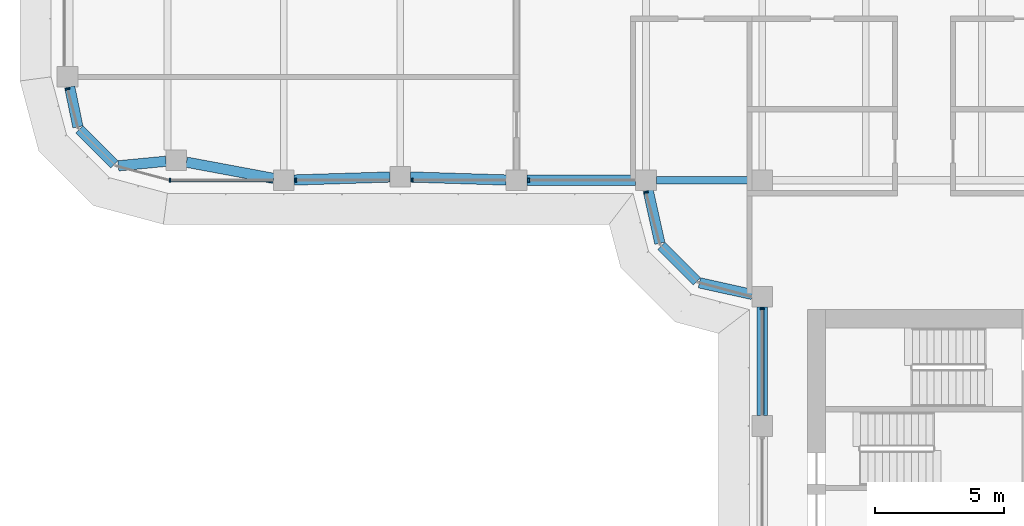
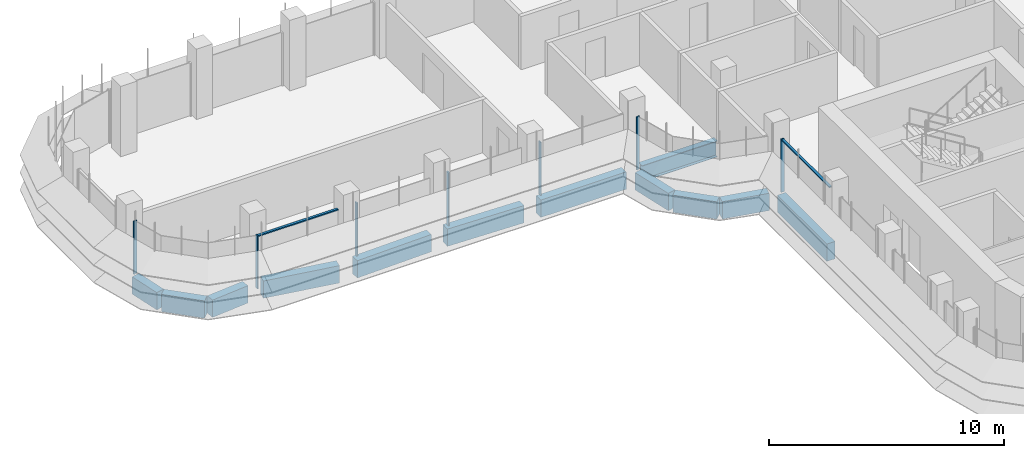
# One storey, part 3 of 19: 12 beams, 9 members, 4 elements without a shape of their own.
"""IFC4 building model written with IfcOpenShell, lengths in metres."""

from ifc_helpers import new_model, si_unit, direction, frame, origin, origin_2d, place, context, subcontext, project, spatial, polyline, rectangle, i_section, outline, extrude, source, transform, mapped, material, material_profile, profile_set, type_object, element, aggregate, save


model = new_model("IFC4")

# Units and contexts
model_context = context("Model", 3, precision=1e-05, world=origin(), true_north=direction((0.0, 1.0)))
body_context = subcontext(model_context, "Body", "Model", "MODEL_VIEW")
ifc_project = project(units=[si_unit("LENGTHUNIT", "METRE"), si_unit("AREAUNIT", "SQUARE_METRE"), si_unit("VOLUMEUNIT", "CUBIC_METRE"), si_unit("PLANEANGLEUNIT", "RADIAN"), si_unit("MASSUNIT", "GRAM", prefix="KILO")], contexts=[model_context])

# Site, building, storey
site_placement = place(None, origin())
site = spatial("IfcSite", under=ifc_project, at=site_placement, CompositionType="ELEMENT")
building_placement = place(site_placement, origin())
building = spatial("IfcBuilding", under=site, at=building_placement, Name="Zarbagh Exchange Tower", CompositionType="ELEMENT")
storey_placement = place(building_placement, frame((0.0, 0.0, 182.800048828125)))
storey = spatial("IfcBuildingStorey", under=building, at=storey_placement, Name="L44", CompositionType="ELEMENT", Elevation=182.800048828125)

# Beams
ifc_material_1 = material(Name="Steel ASTM A992 Gr 50", Category="steel")
ifc_material_profile_1 = material_profile(ifc_material_1, i_section(OverallWidth=0.2919921875, OverallDepth=0.835693359375, WebThickness=0.013916015625, FlangeThickness=0.018798828125, at=origin_2d()), Name="W33X118")
ifc_profile_set_1 = profile_set([ifc_material_profile_1], Name="Steel ASTM A992 Gr 50")
beam_type_1 = type_object("IfcBeamType", Name="Floor girder W33X118", PredefinedType="BEAM", material=ifc_profile_set_1)
beam_1_placement = place(storey_placement, frame((-10.35009765625, -6.25, -0.56787109375), z_axis=(1.0, 0.0, 0.0), x_axis=(0.0, 1.0, 0.0)))
element("IfcBeam", 1, at=beam_1_placement, inside=storey, type_object=beam_type_1, Name="Steel girder", PredefinedType="BEAM", context=body_context, shape_type="SweptSolid", body=[
    extrude(i_section(OverallWidth=0.2919921875, OverallDepth=0.835693359375, WebThickness=0.013916015625, FlangeThickness=0.018798828125, at=origin_2d()), origin(), (0.0, 0.0, 1.0), 3.7001953125),
])
ifc_material_2 = material(Name="Concrete C50/60", Category="concrete")
ifc_material_profile_2 = material_profile(ifc_material_2, rectangle(XDim=0.39990234375, YDim=0.89990234375, at=origin_2d()), Name="RC spandrel beam 400 x 900 C50/60")
ifc_profile_set_2 = profile_set([ifc_material_profile_2], Name="Concrete C50/60")
beam_type_2 = type_object("IfcBeamType", Name="RC spandrel beam 400 x 900 C50/60", PredefinedType="SPANDREL", material=ifc_profile_set_2)
beam_2_placement = place(storey_placement, frame((-6.25, -15.35009765625, -0.60009765625), z_axis=(0.0, 1.0, 0.0), x_axis=(-1.0, 0.0, 0.0)))
element("IfcBeam", 2, at=beam_2_placement, inside=storey, type_object=beam_type_2, Name="RC spandrel beam", PredefinedType="SPANDREL", context=body_context, shape_type="SweptSolid", body=[
    extrude(rectangle(XDim=0.39990234375, YDim=0.89990234375, at=origin_2d()), origin(), (0.0, 0.0, 1.0), 4.2001953125),
])
beam_3_placement = place(storey_placement, frame((-6.640625, -10.66357421875, -0.60009765625), z_axis=(-0.976384278741, 0.216041061437, 0.0), x_axis=(-0.216041061437, -0.976384278741, 0.0)))
element("IfcBeam", 3, at=beam_3_placement, inside=storey, type_object=beam_type_2, Name="RC spandrel beam", PredefinedType="SPANDREL", context=body_context, shape_type="SweptSolid", body=[
    extrude(rectangle(XDim=0.39990234375, YDim=0.89990234375, at=origin_2d()), origin(), (0.0, 0.0, 1.0), 2.0927734375),
])
beam_4_placement = place(storey_placement, frame((-8.782470703125, -10.15771484375, -0.60009765625), z_axis=(-0.707106781187, 0.707106781187, 0.0), x_axis=(-0.707106781187, -0.707106781187, 0.0)))
element("IfcBeam", 4, at=beam_4_placement, inside=storey, type_object=beam_type_2, Name="RC spandrel beam", PredefinedType="SPANDREL", context=body_context, shape_type="SweptSolid", body=[
    extrude(rectangle(XDim=0.39990234375, YDim=0.89990234375, at=origin_2d()), origin(), (0.0, 0.0, 1.0), 1.94482421875),
])
beam_5_placement = place(storey_placement, frame((-10.21142578125, -8.68408203125, -0.60009765625), z_axis=(-0.216041061437, 0.976384278741, 0.0), x_axis=(-0.976384278741, -0.216041061437, 0.0)))
element("IfcBeam", 5, at=beam_5_placement, inside=storey, type_object=beam_type_2, Name="RC spandrel beam", PredefinedType="SPANDREL", context=body_context, shape_type="SweptSolid", body=[
    extrude(rectangle(XDim=0.39990234375, YDim=0.89990234375, at=origin_2d()), origin(), (0.0, 0.0, 1.0), 2.0927734375),
])
beam_6_placement = place(storey_placement, frame((-11.14990234375, -6.25, -0.60009765625), z_axis=(-1.0, 0.0, 0.0), x_axis=(0.0, -1.0, 0.0)))
element("IfcBeam", 6, at=beam_6_placement, inside=storey, type_object=beam_type_2, Name="RC spandrel beam", PredefinedType="SPANDREL", context=body_context, shape_type="SweptSolid", body=[
    extrude(rectangle(XDim=0.39990234375, YDim=0.89990234375, at=origin_2d()), origin(), (0.0, 0.0, 1.0), 4.2001953125),
])
for number, where, z_axis, x_axis, name in (
    (7, (-16.14990234375, -6.237548828125, -0.60009765625), (-0.999515416033, 0.031127690444, 0.0), (-0.031127690444, -0.999515416033, 0.0), "RC spandrel beam"),
    (8, (-20.64990234375, -6.122314453125, -0.60009765625), (-0.999515416033, -0.031127690444, 0.0), (0.031127690444, -0.999515416033, 0.0), "RC spandrel beam"),
):
    element("IfcBeam", number, at=place(storey_placement, frame(where, z_axis=z_axis, x_axis=x_axis)), inside=storey, type_object=beam_type_2, Name=name, PredefinedType="SPANDREL", context=body_context, shape_type="SweptSolid", body=[
        extrude(rectangle(XDim=0.39990234375, YDim=0.89990234375, at=origin_2d()), origin(), (0.0, 0.0, 1.0), 3.701904296875),
    ])
beam_7_placement = place(storey_placement, frame((-25.143310546875, -6.1767578125, -0.60009765625), z_axis=(-0.983069862768, 0.183231124313, 0.0), x_axis=(-0.183231124313, -0.983069862768, 0.0)))
element("IfcBeam", 9, at=beam_7_placement, inside=storey, type_object=beam_type_2, Name="RC spandrel beam", PredefinedType="SPANDREL", context=body_context, shape_type="SweptSolid", body=[
    extrude(rectangle(XDim=0.39990234375, YDim=0.89990234375, at=origin_2d()), origin(), (0.0, 0.0, 1.0), 3.4296875),
])
beam_8_placement = place(storey_placement, frame((-29.30615234375, -5.51318359375, -0.60009765625), z_axis=(-0.995435353267, -0.095438239015, 0.0), x_axis=(0.095438239015, -0.995435353267, 0.0)))
element("IfcBeam", 10, at=beam_8_placement, inside=storey, type_object=beam_type_2, Name="RC spandrel beam", PredefinedType="SPANDREL", context=body_context, shape_type="SweptSolid", body=[
    extrude(rectangle(XDim=0.39990234375, YDim=0.89990234375, at=origin_2d()), origin(), (0.0, 0.0, 1.0), 1.849609375),
])
beam_9_placement = place(storey_placement, frame((-31.307861328125, -5.632080078125, -0.60009765625), z_axis=(-0.707106781187, 0.707106781187, 0.0), x_axis=(-0.707106781187, -0.707106781187, 0.0)))
element("IfcBeam", 11, at=beam_9_placement, inside=storey, type_object=beam_type_2, Name="RC spandrel beam", PredefinedType="SPANDREL", context=body_context, shape_type="SweptSolid", body=[
    extrude(rectangle(XDim=0.39990234375, YDim=0.89990234375, at=origin_2d()), origin(), (0.0, 0.0, 1.0), 1.9072265625),
])
beam_10_placement = place(storey_placement, frame((-32.7109375, -4.1826171875, -0.60009765625), z_axis=(-0.20216948151, 0.979350550491, 0.0), x_axis=(-0.979350550491, -0.20216948151, 0.0)))
element("IfcBeam", 12, at=beam_10_placement, inside=storey, type_object=beam_type_2, Name="RC spandrel beam", PredefinedType="SPANDREL", context=body_context, shape_type="SweptSolid", body=[
    extrude(rectangle(XDim=0.39990234375, YDim=0.89990234375, at=origin_2d()), origin(), (0.0, 0.0, 1.0), 1.573486328125),
])

# Curtain wall, member
ifc_material_3 = material(Name="Anodised aluminium frame and glazing", Category="aluminium")
curtain_wall_type = type_object("IfcCurtainWallType", Name="CWB Ribbon glazing, upper zones", PredefinedType="NOTDEFINED", material=ifc_material_3)
curtain_wall_1_placement = place(storey_placement, origin())
curtain_wall_1 = element("IfcCurtainWall", 13, at=curtain_wall_1_placement, inside=storey, type_object=curtain_wall_type, Name="CWB37 curtain wall", PredefinedType="NOTDEFINED")
ifc_material_4 = material(Name="Anodised aluminium frame", Category="aluminium")
member_type_1 = type_object("IfcMemberType", Name="MUB Mullion, anodised aluminium frame", PredefinedType="MULLION", material=ifc_material_4)
shared_shape_1 = source(origin(), body_context, "Body", "SweptSolid", [
    extrude(outline(polyline([(0.0, -0.080078125), (0.06005859375, -0.080078125), (0.06005859375, 0.080078125), (0.0, 0.080078125), (0.0, -0.080078125)])), origin(), (0.0, 0.0, 1.0), 2.75),
])
placement = place(storey_placement, origin())
member_1 = element("IfcMember", 14, at=placement, type_object=member_type_1, Name="CWB37 mullion 1.1", PredefinedType="MULLION", context=body_context, shape_type="MappedRepresentation", body=[
    mapped(shared_shape_1, transform((-33.114501953125, -2.68994140625, 0.0), x_axis=(0.258824779902, -0.965924289636, 0.0), y_axis=(0.965924289636, 0.258824779902, 0.0), z_axis=(0.0, 0.0, 1.0))),
])
aggregate(curtain_wall_1, [member_1])

# Curtain wall, members
curtain_wall_2_placement = place(storey_placement, origin())
curtain_wall_2 = element("IfcCurtainWall", 15, at=curtain_wall_2_placement, inside=storey, type_object=curtain_wall_type, Name="CWB40 curtain wall", PredefinedType="NOTDEFINED")
member_2 = element("IfcMember", 16, at=placement, type_object=member_type_1, Name="CWB40 mullion 1.1", PredefinedType="MULLION", context=body_context, shape_type="MappedRepresentation", body=[
    mapped(shared_shape_1, transform((-29.18408203125, -6.25, 0.0), x_axis=(1.0, 0.0, 0.0), y_axis=(0.0, 1.0, 0.0), z_axis=(0.0, 0.0, 1.0))),
])
member_3 = element("IfcMember", 17, at=placement, type_object=member_type_1, Name="CWB40 mullion 2.1", PredefinedType="MULLION", context=body_context, shape_type="MappedRepresentation", body=[
    mapped(shared_shape_1, transform((-24.31005859375, -6.25, 0.0), x_axis=(1.0, 0.0, 0.0), y_axis=(0.0, 1.0, 0.0), z_axis=(0.0, 0.0, 1.0))),
])
member_4 = element("IfcMember", 18, at=placement, type_object=member_type_1, Name="CWB40 mullion 3.1", PredefinedType="MULLION", context=body_context, shape_type="MappedRepresentation", body=[
    mapped(shared_shape_1, transform((-19.81005859375, -6.25, 0.0), x_axis=(1.0, 0.0, 0.0), y_axis=(0.0, 1.0, 0.0), z_axis=(0.0, 0.0, 1.0))),
])
member_5 = element("IfcMember", 19, at=placement, type_object=member_type_1, Name="CWB40 mullion 4.1", PredefinedType="MULLION", context=body_context, shape_type="MappedRepresentation", body=[
    mapped(shared_shape_1, transform((-15.31005859375, -6.25, 0.0), x_axis=(1.0, 0.0, 0.0), y_axis=(0.0, 1.0, 0.0), z_axis=(0.0, 0.0, 1.0))),
])

# Curtain wall, member
curtain_wall_3_placement = place(storey_placement, origin())
curtain_wall_3 = element("IfcCurtainWall", 20, at=curtain_wall_3_placement, inside=storey, type_object=curtain_wall_type, Name="CWB41 curtain wall", PredefinedType="NOTDEFINED")
member_6 = element("IfcMember", 21, at=placement, type_object=member_type_1, Name="CWB41 mullion 1.1", PredefinedType="MULLION", context=body_context, shape_type="MappedRepresentation", body=[
    mapped(shared_shape_1, transform((-10.74853515625, -6.68994140625, 0.0), x_axis=(0.258824779902, -0.965924289636, 0.0), y_axis=(0.965924289636, 0.258824779902, 0.0), z_axis=(0.0, 0.0, 1.0))),
])
aggregate(curtain_wall_3, [member_6])

# Curtain wall, members
curtain_wall_4_placement = place(storey_placement, origin())
curtain_wall_4 = element("IfcCurtainWall", 22, at=curtain_wall_4_placement, inside=storey, type_object=curtain_wall_type, Name="CWB53 curtain wall", PredefinedType="NOTDEFINED")
member_7 = element("IfcMember", 23, at=placement, type_object=member_type_1, Name="CWB53 mullion 1.1", PredefinedType="MULLION", context=body_context, shape_type="MappedRepresentation", body=[
    mapped(shared_shape_1, transform((-6.25, -11.18994140625, 0.0), x_axis=(0.0, -1.0, 0.0), y_axis=(1.0, 0.0, 0.0), z_axis=(0.0, 0.0, 1.0))),
])
member_type_2 = type_object("IfcMemberType", Name="TRB Transom, anodised aluminium frame", PredefinedType="USERDEFINED", material=ifc_material_4)
shared_shape_2 = source(origin(), body_context, "Body", "SweptSolid", [
    extrude(outline(polyline([(-0.06005859375, -0.06005859375), (0.0, -0.06005859375), (0.0, 0.06005859375), (-0.06005859375, 0.06005859375), (-0.06005859375, -0.06005859375)])), origin(), (0.0, 0.0, 1.0), 4.06005859375),
])
member_8 = element("IfcMember", 24, at=placement, type_object=member_type_2, Name="CWB53 transom 1.1", ObjectType="TRANSOM", PredefinedType="USERDEFINED", context=body_context, shape_type="MappedRepresentation", body=[
    mapped(shared_shape_2, transform((-6.25, -11.25, 2.75), x_axis=(0.0, 0.0, 1.0), y_axis=(-1.0, 0.0, 0.0), z_axis=(0.0, -1.0, 0.0))),
])
aggregate(curtain_wall_4, [member_7, member_8])

# Member
shared_shape_3 = source(origin(), body_context, "Body", "SweptSolid", [
    extrude(outline(polyline([(-0.06005859375, -0.06005859375), (0.0, -0.06005859375), (0.0, 0.06005859375), (-0.06005859375, 0.06005859375), (-0.06005859375, -0.06005859375)])), origin(), (0.0, 0.0, 1.0), 3.93408203125),
])
member_9 = element("IfcMember", 25, at=placement, type_object=member_type_2, Name="CWB40 transom 1.1", ObjectType="TRANSOM", PredefinedType="USERDEFINED", context=body_context, shape_type="MappedRepresentation", body=[
    mapped(shared_shape_3, transform((-29.124267578125, -6.25, 2.75), x_axis=(0.0, 0.0, 1.0), y_axis=(0.0, -1.0, 0.0), z_axis=(1.0, 0.0, 0.0))),
])

aggregate(curtain_wall_2, [member_2, member_9, member_3, member_4, member_5])

save(model, "model.ifc")
